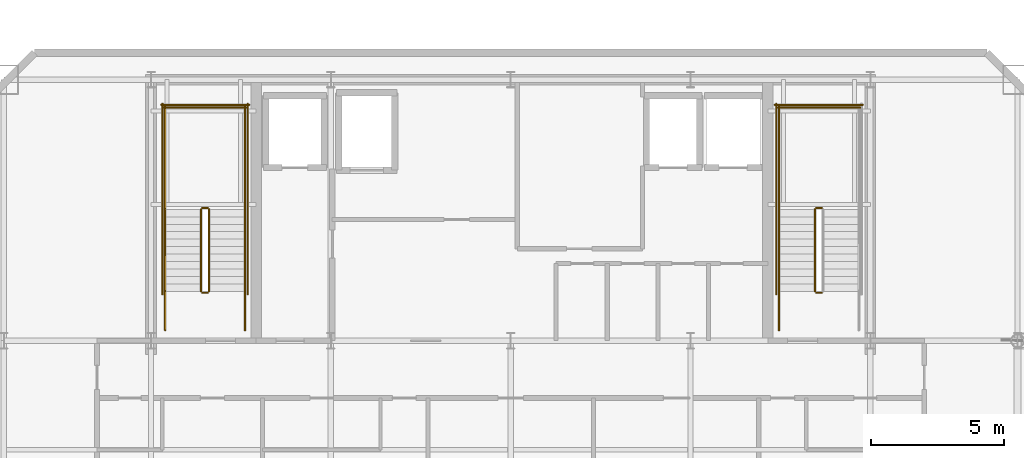
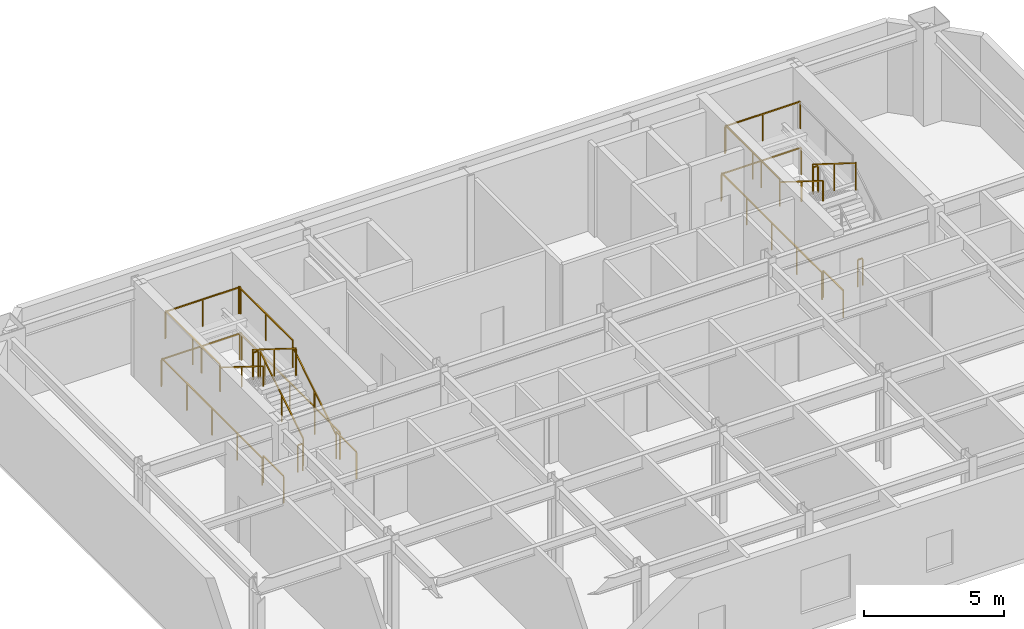
# One storey, part 12 of 14: 23 railings.
"""IFC4 building model written with IfcOpenShell, lengths in metres."""

from ifc_helpers import new_model, si_unit, direction, frame, origin, origin_2d, place, context, subcontext, project, spatial, rectangle, extrude, material, type_object, element, save


model = new_model("IFC4")

# Units and contexts
model_context = context("Model", 3, precision=1e-05, world=origin(), true_north=direction((0.0, 1.0)))
body_context = subcontext(model_context, "Body", "Model", "MODEL_VIEW")
ifc_project = project(units=[si_unit("LENGTHUNIT", "METRE"), si_unit("AREAUNIT", "SQUARE_METRE"), si_unit("VOLUMEUNIT", "CUBIC_METRE"), si_unit("PLANEANGLEUNIT", "RADIAN"), si_unit("MASSUNIT", "GRAM", prefix="KILO")], contexts=[model_context])

# Site, building, storey
site_placement = place(None, origin())
site = spatial("IfcSite", under=ifc_project, at=site_placement, CompositionType="ELEMENT")
building_placement = place(site_placement, origin())
building = spatial("IfcBuilding", under=site, at=building_placement, Name="Haevon Station Towers", CompositionType="ELEMENT")
storey_placement = place(building_placement, frame((0.0, 0.0, 201.300048828125)))
storey = spatial("IfcBuildingStorey", under=building, at=storey_placement, Name="L55", CompositionType="ELEMENT", Elevation=201.300048828125)

# Railings
ifc_material = material(Name="Steel S355", Category="steel")
railing_type_1 = type_object("IfcRailingType", Name="GRD-STR1200", PredefinedType="GUARDRAIL", material=ifc_material)
railing_1_placement = place(storey_placement, frame((26.179931640625, 40.050048828125, 0.175048828125)))
element("IfcRailing", 1, at=railing_1_placement, inside=storey, type_object=railing_type_1, Name="L55 ST1 Stair Guard 1", PredefinedType="GUARDRAIL", context=body_context, shape_type="SweptSolid", body=[
    extrude(rectangle(XDim=0.048095703125, YDim=0.048095703125, at=origin_2d()), frame((0.0, 0.0, 1.17578125), z_axis=(0.0, 0.848009633417, 0.529980812513), x_axis=(-1.0, 0.0, 0.0)), (0.0, 0.0, 1.0), 3.6318359375),
    extrude(rectangle(XDim=0.0419921875, YDim=0.0419921875, at=origin_2d()), origin(), (0.0, 0.0, 1.0), 1.15185546875),
    extrude(rectangle(XDim=0.0419921875, YDim=0.0419921875, at=origin_2d()), frame((0.0, 1.5400390625, 0.96240234375)), (0.0, 0.0, 1.0), 1.15185546875),
    extrude(rectangle(XDim=0.0419921875, YDim=0.0419921875, at=origin_2d()), frame((0.0, 3.079833984375, 1.9248046875)), (0.0, 0.0, 1.0), 1.15185546875),
])
railing_2_placement = place(storey_placement, frame((26.1298828125, 43.179931640625, 2.099853515625)))
element("IfcRailing", 2, at=railing_2_placement, inside=storey, type_object=railing_type_1, Name="L55 ST1 Stair Guard 2", PredefinedType="GUARDRAIL", context=body_context, shape_type="SweptSolid", body=[
    extrude(rectangle(XDim=0.048095703125, YDim=0.048095703125, at=origin_2d()), frame((0.0, 0.0, 1.17578125), z_axis=(-1.0, 0.0, 0.0), x_axis=(0.0, -1.0, 0.0)), (0.0, 0.0, 1.0), 0.199951171875),
    extrude(rectangle(XDim=0.0419921875, YDim=0.0419921875, at=origin_2d()), origin(), (0.0, 0.0, 1.0), 1.15185546875),
    extrude(rectangle(XDim=0.0419921875, YDim=0.0419921875, at=origin_2d()), frame((-0.199951171875, 0.0, 0.0)), (0.0, 0.0, 1.0), 1.15185546875),
])
for number, where, name in (
    (3, (27.530029296875, 43.1298828125, 2.099853515625), "L55 ST1 Stair Guard 3"),
    (4, (24.530029296875, 43.1298828125, 2.099853515625), "L55 ST1 Stair Guard 4"),
):
    element("IfcRailing", number, at=place(storey_placement, frame(where)), inside=storey, type_object=railing_type_1, Name=name, PredefinedType="GUARDRAIL", context=body_context, shape_type="SweptSolid", body=[
        extrude(rectangle(XDim=0.048095703125, YDim=0.048095703125, at=origin_2d()), frame((0.0, 0.0, 1.17578125), z_axis=(0.0, 1.0, 0.0), x_axis=(-1.0, 0.0, 0.0)), (0.0, 0.0, 1.0), 3.8701171875),
        extrude(rectangle(XDim=0.0419921875, YDim=0.0419921875, at=origin_2d()), origin(), (0.0, 0.0, 1.0), 1.15185546875),
        extrude(rectangle(XDim=0.0419921875, YDim=0.0419921875, at=origin_2d()), frame((0.0, 1.93505859375, 0.0)), (0.0, 0.0, 1.0), 1.15185546875),
        extrude(rectangle(XDim=0.0419921875, YDim=0.0419921875, at=origin_2d()), frame((0.0, 3.8701171875, 0.0)), (0.0, 0.0, 1.0), 1.15185546875),
    ])
railing_3_placement = place(storey_placement, frame((27.580078125, 46.949951171875, 2.099853515625)))
element("IfcRailing", 5, at=railing_3_placement, inside=storey, type_object=railing_type_1, Name="L55 ST1 Stair Guard 5", PredefinedType="GUARDRAIL", context=body_context, shape_type="SweptSolid", body=[
    extrude(rectangle(XDim=0.048095703125, YDim=0.048095703125, at=origin_2d()), frame((0.0, 0.0, 1.17578125), z_axis=(-1.0, 0.0, 0.0), x_axis=(0.0, -1.0, 0.0)), (0.0, 0.0, 1.0), 3.10009765625),
    extrude(rectangle(XDim=0.0419921875, YDim=0.0419921875, at=origin_2d()), origin(), (0.0, 0.0, 1.0), 1.15185546875),
    extrude(rectangle(XDim=0.0419921875, YDim=0.0419921875, at=origin_2d()), frame((-1.550048828125, 0.0, 0.0)), (0.0, 0.0, 1.0), 1.15185546875),
    extrude(rectangle(XDim=0.0419921875, YDim=0.0419921875, at=origin_2d()), frame((-3.10009765625, 0.0, 0.0)), (0.0, 0.0, 1.0), 1.15185546875),
])
railing_4_placement = place(storey_placement, frame((25.8798828125, 43.1298828125, 2.27490234375)))
element("IfcRailing", 6, at=railing_4_placement, inside=storey, type_object=railing_type_1, Name="L55 ST1 Stair Guard 6", PredefinedType="GUARDRAIL", context=body_context, shape_type="SweptSolid", body=[
    extrude(rectangle(XDim=0.048095703125, YDim=0.048095703125, at=origin_2d()), frame((0.0, 0.0, 1.17578125), z_axis=(0.0, -0.847979421464, 0.530029150871), x_axis=(1.0, 0.0, 0.0)), (0.0, 0.0, 1.0), 3.632080078125),
    extrude(rectangle(XDim=0.0419921875, YDim=0.0419921875, at=origin_2d()), origin(), (0.0, 0.0, 1.0), 1.15185546875),
    extrude(rectangle(XDim=0.0419921875, YDim=0.0419921875, at=origin_2d()), frame((0.0, -1.5400390625, 0.96240234375)), (0.0, 0.0, 1.0), 1.15185546875),
    extrude(rectangle(XDim=0.0419921875, YDim=0.0419921875, at=origin_2d()), frame((0.0, -3.079833984375, 1.925048828125)), (0.0, 0.0, 1.0), 1.15185546875),
])
railing_5_placement = place(storey_placement, frame((26.1298828125, 40.0, 0.0)))
element("IfcRailing", 7, at=railing_5_placement, inside=storey, type_object=railing_type_1, Name="L55 ST1 Stair Guard 7", PredefinedType="GUARDRAIL", context=body_context, shape_type="SweptSolid", body=[
    extrude(rectangle(XDim=0.048095703125, YDim=0.048095703125, at=origin_2d()), frame((0.0, 0.0, 1.17578125), z_axis=(-1.0, 0.0, 0.0), x_axis=(0.0, -1.0, 0.0)), (0.0, 0.0, 1.0), 0.199951171875),
    extrude(rectangle(XDim=0.0419921875, YDim=0.0419921875, at=origin_2d()), origin(), (0.0, 0.0, 1.0), 1.15185546875),
    extrude(rectangle(XDim=0.0419921875, YDim=0.0419921875, at=origin_2d()), frame((-0.199951171875, 0.0, 0.0)), (0.0, 0.0, 1.0), 1.15185546875),
])
for number, where, name in (
    (8, (27.530029296875, 38.60009765625, 0.0), "L55 ST1 Stair Guard 8"),
    (9, (24.530029296875, 38.60009765625, 0.0), "L55 ST1 Stair Guard 9"),
):
    element("IfcRailing", number, at=place(storey_placement, frame(where)), inside=storey, type_object=railing_type_1, Name=name, PredefinedType="GUARDRAIL", context=body_context, shape_type="SweptSolid", body=[
        extrude(rectangle(XDim=0.048095703125, YDim=0.048095703125, at=origin_2d()), frame((0.0, 0.0, 1.17578125), z_axis=(0.0, 1.0, 0.0), x_axis=(-1.0, 0.0, 0.0)), (0.0, 0.0, 1.0), 1.449951171875),
        extrude(rectangle(XDim=0.0419921875, YDim=0.0419921875, at=origin_2d()), origin(), (0.0, 0.0, 1.0), 1.15185546875),
        extrude(rectangle(XDim=0.0419921875, YDim=0.0419921875, at=origin_2d()), frame((0.0, 1.449951171875, 0.0)), (0.0, 0.0, 1.0), 1.15185546875),
    ])
for number, where, name in (
    (10, (27.6298828125, 39.949951171875, 0.0), "L55 ST1 Stair Guard 10"),
    (11, (24.429931640625, 39.949951171875, 0.0), "L55 ST1 Stair Guard 11"),
):
    element("IfcRailing", number, at=place(storey_placement, frame(where)), inside=storey, type_object=railing_type_1, Name=name, PredefinedType="GUARDRAIL", context=body_context, shape_type="SweptSolid", body=[
        extrude(rectangle(XDim=0.048095703125, YDim=0.048095703125, at=origin_2d()), frame((0.0, 0.0, 1.17578125), z_axis=(0.0, 1.0, 0.0), x_axis=(-1.0, 0.0, 0.0)), (0.0, 0.0, 1.0), 7.150146484375),
        extrude(rectangle(XDim=0.0419921875, YDim=0.0419921875, at=origin_2d()), origin(), (0.0, 0.0, 1.0), 1.15185546875),
        extrude(rectangle(XDim=0.0419921875, YDim=0.0419921875, at=origin_2d()), frame((0.0, 1.78759765625, 0.0)), (0.0, 0.0, 1.0), 1.15185546875),
        extrude(rectangle(XDim=0.0419921875, YDim=0.0419921875, at=origin_2d()), frame((0.0, 3.5751953125, 0.0)), (0.0, 0.0, 1.0), 1.15185546875),
        extrude(rectangle(XDim=0.0419921875, YDim=0.0419921875, at=origin_2d()), frame((0.0, 5.362548828125, 0.0)), (0.0, 0.0, 1.0), 1.15185546875),
        extrude(rectangle(XDim=0.0419921875, YDim=0.0419921875, at=origin_2d()), frame((0.0, 7.150146484375, 0.0)), (0.0, 0.0, 1.0), 1.15185546875),
    ])
railing_6_placement = place(storey_placement, frame((27.679931640625, 47.050048828125, 0.0)))
element("IfcRailing", 12, at=railing_6_placement, inside=storey, type_object=railing_type_1, Name="L55 ST1 Stair Guard 12", PredefinedType="GUARDRAIL", context=body_context, shape_type="SweptSolid", body=[
    extrude(rectangle(XDim=0.048095703125, YDim=0.048095703125, at=origin_2d()), frame((0.0, 0.0, 1.17578125), z_axis=(-1.0, 0.0, 0.0), x_axis=(0.0, -1.0, 0.0)), (0.0, 0.0, 1.0), 3.300048828125),
    extrude(rectangle(XDim=0.0419921875, YDim=0.0419921875, at=origin_2d()), origin(), (0.0, 0.0, 1.0), 1.15185546875),
    extrude(rectangle(XDim=0.0419921875, YDim=0.0419921875, at=origin_2d()), frame((-1.64990234375, 0.0, 0.0)), (0.0, 0.0, 1.0), 1.15185546875),
    extrude(rectangle(XDim=0.0419921875, YDim=0.0419921875, at=origin_2d()), frame((-3.300048828125, 0.0, 0.0)), (0.0, 0.0, 1.0), 1.15185546875),
])
railing_7_placement = place(storey_placement, frame((49.169921875, 43.179931640625, 2.099853515625)))
element("IfcRailing", 13, at=railing_7_placement, inside=storey, type_object=railing_type_1, Name="L55 ST2 Stair Guard 2", PredefinedType="GUARDRAIL", context=body_context, shape_type="SweptSolid", body=[
    extrude(rectangle(XDim=0.048095703125, YDim=0.048095703125, at=origin_2d()), frame((0.0, 0.0, 1.17578125), z_axis=(-1.0, 0.0, 0.0), x_axis=(0.0, -1.0, 0.0)), (0.0, 0.0, 1.0), 0.199951171875),
    extrude(rectangle(XDim=0.0419921875, YDim=0.0419921875, at=origin_2d()), origin(), (0.0, 0.0, 1.0), 1.15185546875),
    extrude(rectangle(XDim=0.0419921875, YDim=0.0419921875, at=origin_2d()), frame((-0.199951171875, 0.0, 0.0)), (0.0, 0.0, 1.0), 1.15185546875),
])
railing_8_placement = place(storey_placement, frame((47.570068359375, 43.1298828125, 2.099853515625)))
element("IfcRailing", 14, at=railing_8_placement, inside=storey, type_object=railing_type_1, Name="L55 ST2 Stair Guard 4", PredefinedType="GUARDRAIL", context=body_context, shape_type="SweptSolid", body=[
    extrude(rectangle(XDim=0.048095703125, YDim=0.048095703125, at=origin_2d()), frame((0.0, 0.0, 1.17578125), z_axis=(0.0, 1.0, 0.0), x_axis=(-1.0, 0.0, 0.0)), (0.0, 0.0, 1.0), 3.8701171875),
    extrude(rectangle(XDim=0.0419921875, YDim=0.0419921875, at=origin_2d()), origin(), (0.0, 0.0, 1.0), 1.15185546875),
    extrude(rectangle(XDim=0.0419921875, YDim=0.0419921875, at=origin_2d()), frame((0.0, 1.93505859375, 0.0)), (0.0, 0.0, 1.0), 1.15185546875),
    extrude(rectangle(XDim=0.0419921875, YDim=0.0419921875, at=origin_2d()), frame((0.0, 3.8701171875, 0.0)), (0.0, 0.0, 1.0), 1.15185546875),
])
railing_9_placement = place(storey_placement, frame((50.6201171875, 46.949951171875, 2.099853515625)))
element("IfcRailing", 15, at=railing_9_placement, inside=storey, type_object=railing_type_1, Name="L55 ST2 Stair Guard 5", PredefinedType="GUARDRAIL", context=body_context, shape_type="SweptSolid", body=[
    extrude(rectangle(XDim=0.048095703125, YDim=0.048095703125, at=origin_2d()), frame((0.0, 0.0, 1.17578125), z_axis=(-1.0, 0.0, 0.0), x_axis=(0.0, -1.0, 0.0)), (0.0, 0.0, 1.0), 3.10009765625),
    extrude(rectangle(XDim=0.0419921875, YDim=0.0419921875, at=origin_2d()), origin(), (0.0, 0.0, 1.0), 1.15185546875),
    extrude(rectangle(XDim=0.0419921875, YDim=0.0419921875, at=origin_2d()), frame((-1.550048828125, 0.0, 0.0)), (0.0, 0.0, 1.0), 1.15185546875),
    extrude(rectangle(XDim=0.0419921875, YDim=0.0419921875, at=origin_2d()), frame((-3.10009765625, 0.0, 0.0)), (0.0, 0.0, 1.0), 1.15185546875),
])
railing_10_placement = place(storey_placement, frame((48.919921875, 43.1298828125, 2.27490234375)))
element("IfcRailing", 16, at=railing_10_placement, inside=storey, type_object=railing_type_1, Name="L55 ST2 Stair Guard 6", PredefinedType="GUARDRAIL", context=body_context, shape_type="SweptSolid", body=[
    extrude(rectangle(XDim=0.048095703125, YDim=0.048095703125, at=origin_2d()), frame((0.0, 0.0, 1.17578125), z_axis=(0.0, -0.847979421464, 0.530029150871), x_axis=(1.0, 0.0, 0.0)), (0.0, 0.0, 1.0), 3.632080078125),
    extrude(rectangle(XDim=0.0419921875, YDim=0.0419921875, at=origin_2d()), origin(), (0.0, 0.0, 1.0), 1.15185546875),
    extrude(rectangle(XDim=0.0419921875, YDim=0.0419921875, at=origin_2d()), frame((0.0, -1.5400390625, 0.96240234375)), (0.0, 0.0, 1.0), 1.15185546875),
    extrude(rectangle(XDim=0.0419921875, YDim=0.0419921875, at=origin_2d()), frame((0.0, -3.079833984375, 1.925048828125)), (0.0, 0.0, 1.0), 1.15185546875),
])
railing_11_placement = place(storey_placement, frame((49.169921875, 40.0, 0.0)))
element("IfcRailing", 17, at=railing_11_placement, inside=storey, type_object=railing_type_1, Name="L55 ST2 Stair Guard 7", PredefinedType="GUARDRAIL", context=body_context, shape_type="SweptSolid", body=[
    extrude(rectangle(XDim=0.048095703125, YDim=0.048095703125, at=origin_2d()), frame((0.0, 0.0, 1.17578125), z_axis=(-1.0, 0.0, 0.0), x_axis=(0.0, -1.0, 0.0)), (0.0, 0.0, 1.0), 0.199951171875),
    extrude(rectangle(XDim=0.0419921875, YDim=0.0419921875, at=origin_2d()), origin(), (0.0, 0.0, 1.0), 1.15185546875),
    extrude(rectangle(XDim=0.0419921875, YDim=0.0419921875, at=origin_2d()), frame((-0.199951171875, 0.0, 0.0)), (0.0, 0.0, 1.0), 1.15185546875),
])
railing_12_placement = place(storey_placement, frame((47.570068359375, 38.60009765625, 0.0)))
element("IfcRailing", 18, at=railing_12_placement, inside=storey, type_object=railing_type_1, Name="L55 ST2 Stair Guard 9", PredefinedType="GUARDRAIL", context=body_context, shape_type="SweptSolid", body=[
    extrude(rectangle(XDim=0.048095703125, YDim=0.048095703125, at=origin_2d()), frame((0.0, 0.0, 1.17578125), z_axis=(0.0, 1.0, 0.0), x_axis=(-1.0, 0.0, 0.0)), (0.0, 0.0, 1.0), 1.449951171875),
    extrude(rectangle(XDim=0.0419921875, YDim=0.0419921875, at=origin_2d()), origin(), (0.0, 0.0, 1.0), 1.15185546875),
    extrude(rectangle(XDim=0.0419921875, YDim=0.0419921875, at=origin_2d()), frame((0.0, 1.449951171875, 0.0)), (0.0, 0.0, 1.0), 1.15185546875),
])
railing_13_placement = place(storey_placement, frame((47.469970703125, 39.949951171875, 0.0)))
element("IfcRailing", 19, at=railing_13_placement, inside=storey, type_object=railing_type_1, Name="L55 ST2 Stair Guard 11", PredefinedType="GUARDRAIL", context=body_context, shape_type="SweptSolid", body=[
    extrude(rectangle(XDim=0.048095703125, YDim=0.048095703125, at=origin_2d()), frame((0.0, 0.0, 1.17578125), z_axis=(0.0, 1.0, 0.0), x_axis=(-1.0, 0.0, 0.0)), (0.0, 0.0, 1.0), 7.150146484375),
    extrude(rectangle(XDim=0.0419921875, YDim=0.0419921875, at=origin_2d()), origin(), (0.0, 0.0, 1.0), 1.15185546875),
    extrude(rectangle(XDim=0.0419921875, YDim=0.0419921875, at=origin_2d()), frame((0.0, 1.78759765625, 0.0)), (0.0, 0.0, 1.0), 1.15185546875),
    extrude(rectangle(XDim=0.0419921875, YDim=0.0419921875, at=origin_2d()), frame((0.0, 3.5751953125, 0.0)), (0.0, 0.0, 1.0), 1.15185546875),
    extrude(rectangle(XDim=0.0419921875, YDim=0.0419921875, at=origin_2d()), frame((0.0, 5.362548828125, 0.0)), (0.0, 0.0, 1.0), 1.15185546875),
    extrude(rectangle(XDim=0.0419921875, YDim=0.0419921875, at=origin_2d()), frame((0.0, 7.150146484375, 0.0)), (0.0, 0.0, 1.0), 1.15185546875),
])
railing_14_placement = place(storey_placement, frame((50.719970703125, 47.050048828125, 0.0)))
element("IfcRailing", 20, at=railing_14_placement, inside=storey, type_object=railing_type_1, Name="L55 ST2 Stair Guard 12", PredefinedType="GUARDRAIL", context=body_context, shape_type="SweptSolid", body=[
    extrude(rectangle(XDim=0.048095703125, YDim=0.048095703125, at=origin_2d()), frame((0.0, 0.0, 1.17578125), z_axis=(-1.0, 0.0, 0.0), x_axis=(0.0, -1.0, 0.0)), (0.0, 0.0, 1.0), 3.300048828125),
    extrude(rectangle(XDim=0.0419921875, YDim=0.0419921875, at=origin_2d()), origin(), (0.0, 0.0, 1.0), 1.15185546875),
    extrude(rectangle(XDim=0.0419921875, YDim=0.0419921875, at=origin_2d()), frame((-1.64990234375, 0.0, 0.0)), (0.0, 0.0, 1.0), 1.15185546875),
    extrude(rectangle(XDim=0.0419921875, YDim=0.0419921875, at=origin_2d()), frame((-3.300048828125, 0.0, 0.0)), (0.0, 0.0, 1.0), 1.15185546875),
])
railing_type_2 = type_object("IfcRailingType", Name="HND-STR900", PredefinedType="HANDRAIL", material=ifc_material)
railing_15_placement = place(storey_placement, frame((27.530029296875, 40.050048828125, 0.175048828125)))
element("IfcRailing", 21, at=railing_15_placement, inside=storey, type_object=railing_type_2, Name="L55 ST1 Stair Handrail 1", PredefinedType="HANDRAIL", context=body_context, shape_type="SweptSolid", body=[
    extrude(rectangle(XDim=0.048095703125, YDim=0.048095703125, at=origin_2d()), frame((0.0, 0.0, 0.8759765625), z_axis=(0.0, 0.848009633417, 0.529980812513), x_axis=(-1.0, 0.0, 0.0)), (0.0, 0.0, 1.0), 3.6318359375),
    extrude(rectangle(XDim=0.0419921875, YDim=0.0419921875, at=origin_2d()), origin(), (0.0, 0.0, 1.0), 0.851806640625),
    extrude(rectangle(XDim=0.0419921875, YDim=0.0419921875, at=origin_2d()), frame((0.0, 1.5400390625, 0.96240234375)), (0.0, 0.0, 1.0), 0.851806640625),
    extrude(rectangle(XDim=0.0419921875, YDim=0.0419921875, at=origin_2d()), frame((0.0, 3.079833984375, 1.9248046875)), (0.0, 0.0, 1.0), 0.851806640625),
])
for number, where, name in (
    (22, (24.530029296875, 43.1298828125, 2.27490234375), "L55 ST1 Stair Handrail 2"),
    (23, (47.570068359375, 43.1298828125, 2.27490234375), "L55 ST2 Stair Handrail 2"),
):
    element("IfcRailing", number, at=place(storey_placement, frame(where)), inside=storey, type_object=railing_type_2, Name=name, PredefinedType="HANDRAIL", context=body_context, shape_type="SweptSolid", body=[
        extrude(rectangle(XDim=0.048095703125, YDim=0.048095703125, at=origin_2d()), frame((0.0, 0.0, 0.8759765625), z_axis=(0.0, -0.847979421464, 0.530029150871), x_axis=(1.0, 0.0, 0.0)), (0.0, 0.0, 1.0), 3.632080078125),
        extrude(rectangle(XDim=0.0419921875, YDim=0.0419921875, at=origin_2d()), origin(), (0.0, 0.0, 1.0), 0.851806640625),
        extrude(rectangle(XDim=0.0419921875, YDim=0.0419921875, at=origin_2d()), frame((0.0, -1.5400390625, 0.96240234375)), (0.0, 0.0, 1.0), 0.851806640625),
        extrude(rectangle(XDim=0.0419921875, YDim=0.0419921875, at=origin_2d()), frame((0.0, -3.079833984375, 1.925048828125)), (0.0, 0.0, 1.0), 0.851806640625),
    ])

save(model, "model.ifc")
